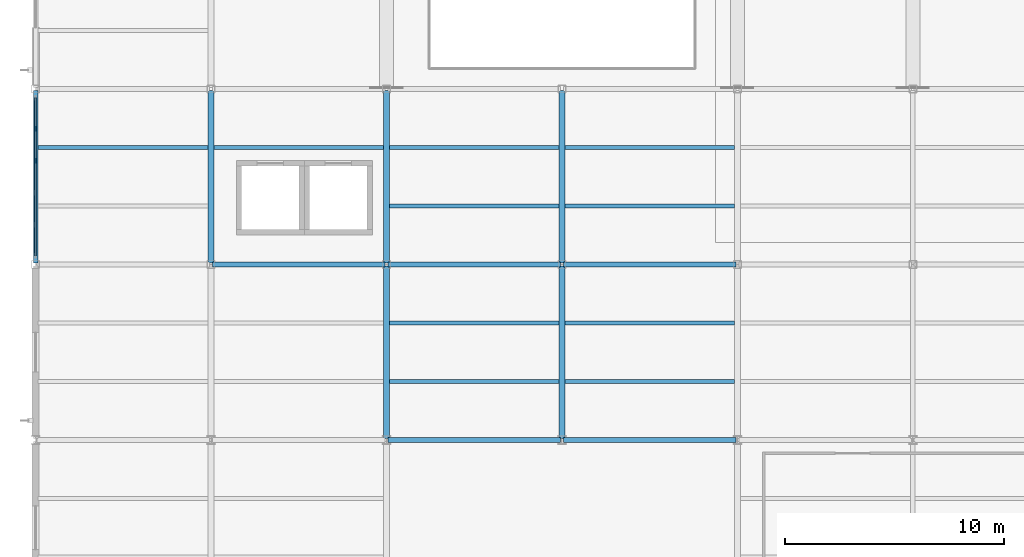
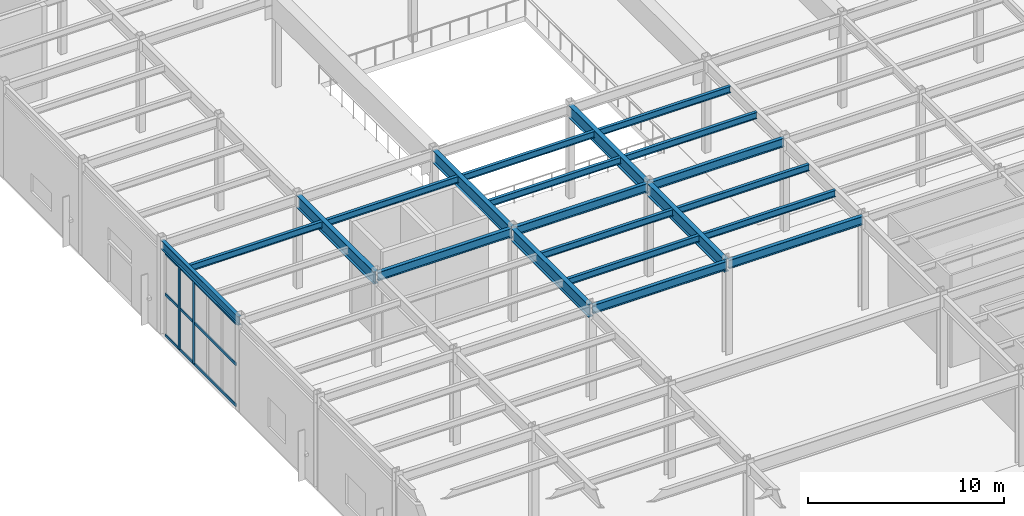
# One storey, part 32 of 82: 21 beams, 5 members, 1 element without a shape of its own.
"""IFC4 building model written with IfcOpenShell, lengths in metres."""

from ifc_helpers import new_model, si_unit, direction, frame, origin, origin_2d, place, context, subcontext, project, spatial, rectangle, i_section, extrude, material, material_profile, profile_set, type_object, element, aggregate, save


model = new_model("IFC4")

# Units and contexts
model_context = context("Model", 3, precision=1e-05, world=origin(), true_north=direction((0.0, 1.0)))
body_context = subcontext(model_context, "Body", "Model", "MODEL_VIEW")
ifc_project = project(units=[si_unit("LENGTHUNIT", "METRE"), si_unit("AREAUNIT", "SQUARE_METRE"), si_unit("VOLUMEUNIT", "CUBIC_METRE"), si_unit("PLANEANGLEUNIT", "RADIAN"), si_unit("MASSUNIT", "GRAM", prefix="KILO")], contexts=[model_context])

# Site, building, storey
site_placement = place(None, origin())
site = spatial("IfcSite", under=ifc_project, at=site_placement, CompositionType="ELEMENT")
building_placement = place(site_placement, origin())
building = spatial("IfcBuilding", under=site, at=building_placement, Name="Drelvath Fold Interchange", CompositionType="ELEMENT")
storey_placement = place(building_placement, origin())
storey = spatial("IfcBuildingStorey", under=building, at=storey_placement, Name="L00", CompositionType="ELEMENT", Elevation=0.0)

# Beams
ifc_material_1 = material(Name="Steel ASTM A992 Grade 50", Category="steel")
ifc_material_profile_1 = material_profile(ifc_material_1, i_section(OverallWidth=0.177978515625, OverallDepth=0.403076171875, WebThickness=0.007568359375, FlangeThickness=0.010986328125, at=origin_2d()), Name="W16X36")
ifc_profile_set_1 = profile_set([ifc_material_profile_1], Name="Steel ASTM A992 Grade 50")
beam_type_1 = type_object("IfcBeamType", Name="BM-W16X36", PredefinedType="JOIST", material=ifc_profile_set_1)
beam_placement = place(storey_placement, frame((4.10302734375, 64.3330078125, 5.55810546875), z_axis=(1.0, 0.0, 0.0), x_axis=(0.0, 1.0, 0.0)))
element("IfcBeam", 1, at=beam_placement, inside=storey, type_object=beam_type_1, Name="L00 Secondary floor joist BM-W16X36", PredefinedType="JOIST", context=body_context, shape_type="SweptSolid", body=[
    extrude(i_section(OverallWidth=0.177978515625, OverallDepth=0.403076171875, WebThickness=0.007568359375, FlangeThickness=0.010986328125, at=origin_2d()), origin(), (0.0, 0.0, 1.0), 7.765869140625),
])
for number, where, z_axis, x_axis, name in (
    (2, (12.131103515625, 64.3330078125, 5.55810546875), (1.0, 0.0, 0.0), (0.0, 1.0, 0.0), "L00 Secondary floor joist BM-W16X36"),
    (3, (20.131103515625, 53.6669921875, 5.55810546875), (1.0, 0.0, 0.0), (0.0, 1.0, 0.0), "L00 Secondary floor joist BM-W16X36"),
    (4, (20.131103515625, 56.3330078125, 5.55810546875), (1.0, 0.0, 0.0), (0.0, 1.0, 0.0), "L00 Secondary floor joist BM-W16X36"),
    (5, (20.131103515625, 61.6669921875, 5.55810546875), (1.0, 0.0, 0.0), (0.0, 1.0, 0.0), "L00 Secondary floor joist BM-W16X36"),
    (6, (20.131103515625, 64.3330078125, 5.55810546875), (1.0, 0.0, 0.0), (0.0, 1.0, 0.0), "L00 Secondary floor joist BM-W16X36"),
    (7, (28.131103515625, 53.6669921875, 5.55810546875), (1.0, 0.0, 0.0), (0.0, 1.0, 0.0), "L00 Secondary floor joist BM-W16X36"),
    (8, (28.131103515625, 56.3330078125, 5.55810546875), (1.0, 0.0, 0.0), (0.0, 1.0, 0.0), "L00 Secondary floor joist BM-W16X36"),
    (9, (28.131103515625, 61.6669921875, 5.55810546875), (1.0, 0.0, 0.0), (0.0, 1.0, 0.0), "L00 Secondary floor joist BM-W16X36"),
    (10, (28.131103515625, 64.3330078125, 5.55810546875), (1.0, 0.0, 0.0), (0.0, 1.0, 0.0), "L00 Secondary floor joist BM-W16X36"),
):
    element("IfcBeam", number, at=place(storey_placement, frame(where, z_axis=z_axis, x_axis=x_axis)), inside=storey, type_object=beam_type_1, Name=name, PredefinedType="JOIST", context=body_context, shape_type="SweptSolid", body=[
        extrude(i_section(OverallWidth=0.177978515625, OverallDepth=0.403076171875, WebThickness=0.007568359375, FlangeThickness=0.010986328125, at=origin_2d()), origin(), (0.0, 0.0, 1.0), 7.73779296875),
    ])
ifc_material_profile_2 = material_profile(ifc_material_1, i_section(OverallWidth=0.2099609375, OverallDepth=0.537109375, WebThickness=0.010986328125, FlangeThickness=0.017333984375, at=origin_2d()), Name="W21X68")
ifc_profile_set_2 = profile_set([ifc_material_profile_2], Name="Steel ASTM A992 Grade 50")
beam_type_2 = type_object("IfcBeamType", Name="BM-W21X68", PredefinedType="SPANDREL", material=ifc_profile_set_2)
for number, where, z_axis, x_axis, name in (
    (11, (20.06005859375, 51.0, 5.490966796875), (1.0, 0.0, 0.0), (0.0, 1.0, 0.0), "L00 Primary X girder BM-W21X68"),
    (12, (28.06005859375, 51.0, 5.490966796875), (1.0, 0.0, 0.0), (0.0, 1.0, 0.0), "L00 Primary X girder BM-W21X68"),
    (13, (12.06005859375, 59.0, 5.490966796875), (1.0, 0.0, 0.0), (0.0, 1.0, 0.0), "L00 Primary X girder BM-W21X68"),
    (14, (20.06005859375, 59.0, 5.490966796875), (1.0, 0.0, 0.0), (0.0, 1.0, 0.0), "L00 Primary X girder BM-W21X68"),
    (15, (28.06005859375, 59.0, 5.490966796875), (1.0, 0.0, 0.0), (0.0, 1.0, 0.0), "L00 Primary X girder BM-W21X68"),
    (16, (4.0, 59.06005859375, 5.490966796875), (0.0, 1.0, 0.0), (-1.0, 0.0, 0.0), "L00 Primary Y girder BM-W21X68"),
):
    element("IfcBeam", number, at=place(storey_placement, frame(where, z_axis=z_axis, x_axis=x_axis)), inside=storey, type_object=beam_type_2, Name=name, PredefinedType="SPANDREL", context=body_context, shape_type="SweptSolid", body=[
        extrude(i_section(OverallWidth=0.2099609375, OverallDepth=0.537109375, WebThickness=0.010986328125, FlangeThickness=0.017333984375, at=origin_2d()), origin(), (0.0, 0.0, 1.0), 7.8798828125),
    ])
ifc_material_profile_3 = material_profile(ifc_material_1, i_section(OverallWidth=0.26611328125, OverallDepth=0.779052734375, WebThickness=0.0166015625, FlangeThickness=0.030029296875, at=origin_2d()), Name="W30X148")
ifc_profile_set_3 = profile_set([ifc_material_profile_3], Name="Steel ASTM A992 Grade 50")
beam_type_3 = type_object("IfcBeamType", Name="BM-W30X148", PredefinedType="BEAM", material=ifc_profile_set_3)
for number, where, z_axis, x_axis, name in (
    (17, (12.0, 59.06005859375, 5.3701171875), (0.0, 1.0, 0.0), (-1.0, 0.0, 0.0), "L00 Primary Y girder BM-W30X148"),
    (18, (20.0, 51.06005859375, 5.3701171875), (0.0, 1.0, 0.0), (-1.0, 0.0, 0.0), "L00 Primary Y girder BM-W30X148"),
    (19, (20.0, 59.06005859375, 5.3701171875), (0.0, 1.0, 0.0), (-1.0, 0.0, 0.0), "L00 Primary Y girder BM-W30X148"),
    (20, (28.0, 51.06005859375, 5.3701171875), (0.0, 1.0, 0.0), (-1.0, 0.0, 0.0), "L00 Primary Y girder BM-W30X148"),
    (21, (28.0, 59.06005859375, 5.3701171875), (0.0, 1.0, 0.0), (-1.0, 0.0, 0.0), "L00 Primary Y girder BM-W30X148"),
):
    element("IfcBeam", number, at=place(storey_placement, frame(where, z_axis=z_axis, x_axis=x_axis)), inside=storey, type_object=beam_type_3, Name=name, PredefinedType="BEAM", context=body_context, shape_type="SweptSolid", body=[
        extrude(i_section(OverallWidth=0.26611328125, OverallDepth=0.779052734375, WebThickness=0.0166015625, FlangeThickness=0.030029296875, at=origin_2d()), origin(), (0.0, 0.0, 1.0), 7.8798828125),
    ])

# Curtain wall, members
ifc_material_2 = material(Name="Anodized Aluminium 6063-T6", Category="aluminium")
curtain_wall_type = type_object("IfcCurtainWallType", Name="CW-CON-600", PredefinedType="USERDEFINED", material=ifc_material_2)
curtain_wall_placement = place(storey_placement, origin())
curtain_wall = element("IfcCurtainWall", 22, at=curtain_wall_placement, inside=storey, type_object=curtain_wall_type, Name="Curtain wall CW-V1-L00-W59", ObjectType="UNITISED CURTAIN WALL", PredefinedType="USERDEFINED")
ifc_material_profile_4 = material_profile(ifc_material_2, rectangle(XDim=0.06494140625, YDim=0.219970703125, at=origin_2d()), Name="AL-M 65x220")
ifc_profile_set_4 = profile_set([ifc_material_profile_4], Name="Anodized Aluminium 6063-T6")
member_type_1 = type_object("IfcMemberType", Name="ML-220", PredefinedType="MULLION", material=ifc_profile_set_4)
member_1_placement = place(storey_placement, frame((4.0, 63.72802734375, 0.0), z_axis=(0.0, 0.0, 1.0), x_axis=(1.0, 0.0, 0.0)))
member_1 = element("IfcMember", 23, at=member_1_placement, type_object=member_type_1, Name="CW-V1-L00-W59 mullion 3", PredefinedType="MULLION", context=body_context, shape_type="SweptSolid", body=[
    extrude(rectangle(XDim=0.06494140625, YDim=0.219970703125, at=origin_2d()), origin(), (0.0, 0.0, 1.0), 5.14990234375),
])
member_2_placement = place(storey_placement, frame((4.0, 65.18408203125, 0.0), z_axis=(0.0, 0.0, 1.0), x_axis=(1.0, 0.0, 0.0)))
member_2 = element("IfcMember", 24, at=member_2_placement, type_object=member_type_1, Name="CW-V1-L00-W59 mullion 4", PredefinedType="MULLION", context=body_context, shape_type="SweptSolid", body=[
    extrude(rectangle(XDim=0.06494140625, YDim=0.219970703125, at=origin_2d()), origin(), (0.0, 0.0, 1.0), 5.14990234375),
])
ifc_material_profile_5 = material_profile(ifc_material_2, rectangle(XDim=0.06494140625, YDim=0.179931640625, at=origin_2d()), Name="AL-T 65x180")
ifc_profile_set_5 = profile_set([ifc_material_profile_5], Name="Anodized Aluminium 6063-T6")
member_type_2 = type_object("IfcMemberType", Name="TR-180", PredefinedType="USERDEFINED", material=ifc_profile_set_5)
member_3_placement = place(storey_placement, frame((4.0, 59.39990234375, 0.030029296875), z_axis=(0.0, 1.0, 0.0), x_axis=(-1.0, 0.0, 0.0)))
member_3 = element("IfcMember", 25, at=member_3_placement, type_object=member_type_2, Name="CW-V1-L00-W59 transom 0", ObjectType="TRANSOM", PredefinedType="USERDEFINED", context=body_context, shape_type="SweptSolid", body=[
    extrude(rectangle(XDim=0.06494140625, YDim=0.179931640625, at=origin_2d()), origin(), (0.0, 0.0, 1.0), 7.2001953125),
])
member_4_placement = place(storey_placement, frame((4.0, 59.39990234375, 2.574951171875), z_axis=(0.0, 1.0, 0.0), x_axis=(-1.0, 0.0, 0.0)))
member_4 = element("IfcMember", 26, at=member_4_placement, type_object=member_type_2, Name="CW-V1-L00-W59 transom 1", ObjectType="TRANSOM", PredefinedType="USERDEFINED", context=body_context, shape_type="SweptSolid", body=[
    extrude(rectangle(XDim=0.06494140625, YDim=0.179931640625, at=origin_2d()), origin(), (0.0, 0.0, 1.0), 7.2001953125),
])
member_5_placement = place(storey_placement, frame((4.0, 59.39990234375, 5.1201171875), z_axis=(0.0, 1.0, 0.0), x_axis=(-1.0, 0.0, 0.0)))
member_5 = element("IfcMember", 27, at=member_5_placement, type_object=member_type_2, Name="CW-V1-L00-W59 transom 2", ObjectType="TRANSOM", PredefinedType="USERDEFINED", context=body_context, shape_type="SweptSolid", body=[
    extrude(rectangle(XDim=0.06494140625, YDim=0.179931640625, at=origin_2d()), origin(), (0.0, 0.0, 1.0), 7.2001953125),
])
aggregate(curtain_wall, [member_1, member_2, member_3, member_4, member_5])

save(model, "model.ifc")
